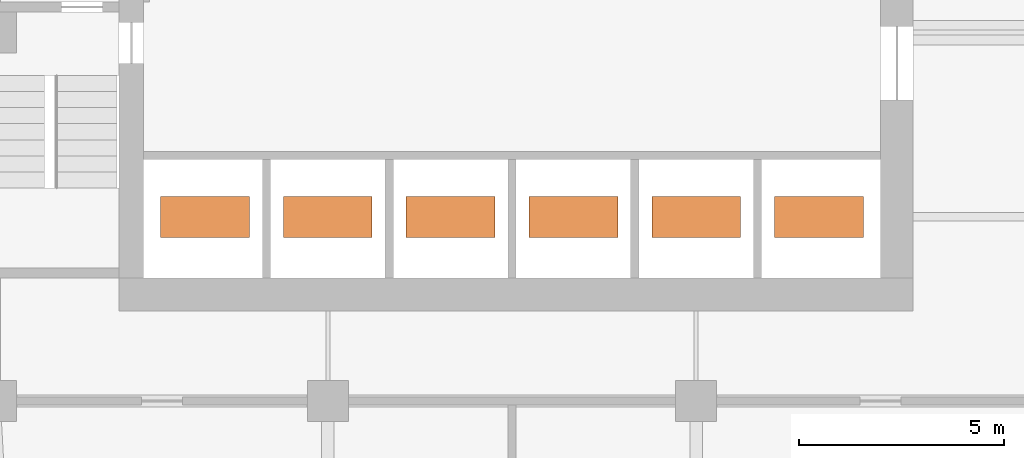
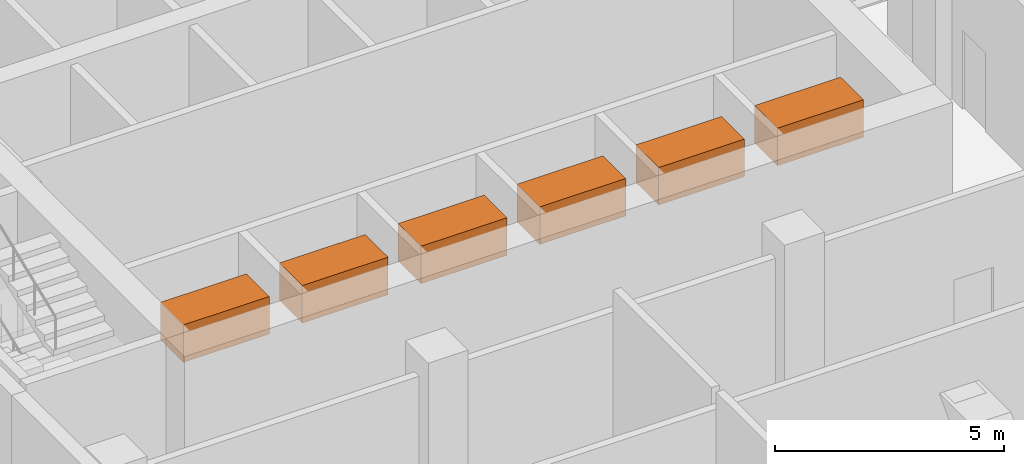
# One storey, part 11 of 11: 6 proxies.
"""IFC4 building model written with IfcOpenShell, lengths in metres."""

from ifc_helpers import new_model, si_unit, direction, frame, origin, origin_2d, place, context, subcontext, project, spatial, rectangle, extrude, material, type_object, element, save


model = new_model("IFC4")

# Units and contexts
model_context = context("Model", 3, precision=1e-05, world=origin(), true_north=direction((0.0, 1.0)))
body_context = subcontext(model_context, "Body", "Model", "MODEL_VIEW")
ifc_project = project(units=[si_unit("LENGTHUNIT", "METRE"), si_unit("AREAUNIT", "SQUARE_METRE"), si_unit("VOLUMEUNIT", "CUBIC_METRE"), si_unit("PLANEANGLEUNIT", "RADIAN"), si_unit("MASSUNIT", "GRAM", prefix="KILO")], contexts=[model_context])

# Site, building, storey
site_placement = place(None, origin())
site = spatial("IfcSite", under=ifc_project, at=site_placement, CompositionType="ELEMENT")
building_placement = place(site_placement, origin())
building = spatial("IfcBuilding", under=site, at=building_placement, Name="Cinnabar Reach Civic Tower", CompositionType="ELEMENT")
storey_placement = place(building_placement, frame((0.0, 0.0, 144.0)))
storey = spatial("IfcBuildingStorey", under=building, at=storey_placement, Name="L34", CompositionType="ELEMENT", Elevation=144.0)

# Proxies
ifc_material = material(Name="Steel", Category="steel")
building_element_proxy_type = type_object("IfcBuildingElementProxyType", Name="T1 lift machine", PredefinedType="USERDEFINED", material=ifc_material)
for number, where, z_axis, x_axis, name in (
    (1, (6.0, 22.5, 3.4), (0.0, 0.0, 1.0), (1.0, 0.0, 0.0), "T1-LR1 machine"),
    (2, (9.0, 22.5, 3.4), (0.0, 0.0, 1.0), (1.0, 0.0, 0.0), "T1-LR2 machine"),
    (3, (12.0, 22.5, 3.4), (0.0, 0.0, 1.0), (1.0, 0.0, 0.0), "T1-LR3 machine"),
    (4, (15.0, 22.5, 3.4), (0.0, 0.0, 1.0), (1.0, 0.0, 0.0), "T1-LR4 machine"),
    (5, (18.0, 22.5, 3.4), (0.0, 0.0, 1.0), (1.0, 0.0, 0.0), "T1-LR5 machine"),
    (6, (21.0, 22.5, 3.4), (0.0, 0.0, 1.0), (1.0, 0.0, 0.0), "T1-LR6 machine"),
):
    element("IfcBuildingElementProxy", number, at=place(storey_placement, frame(where, z_axis=z_axis, x_axis=x_axis)), inside=storey, type_object=building_element_proxy_type, Name=name, ObjectType="LIFT MACHINE", PredefinedType="USERDEFINED", context=body_context, shape_type="SweptSolid", body=[
        extrude(rectangle(XDim=2.17, YDim=1.0, at=origin_2d()), origin(), (0.0, 0.0, 1.0), 1.0),
    ])

save(model, "model.ifc")
